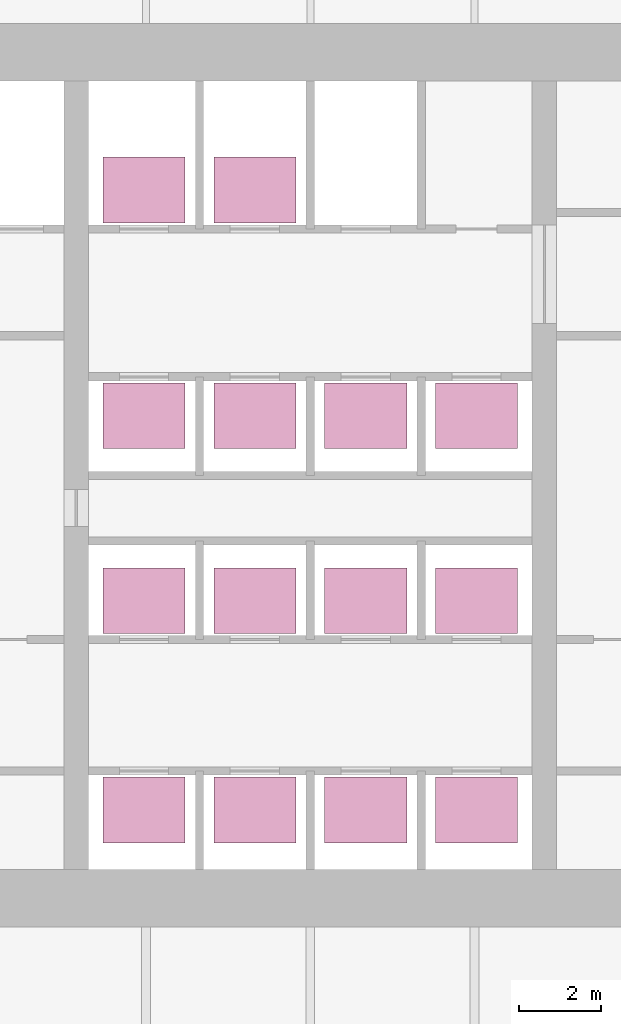
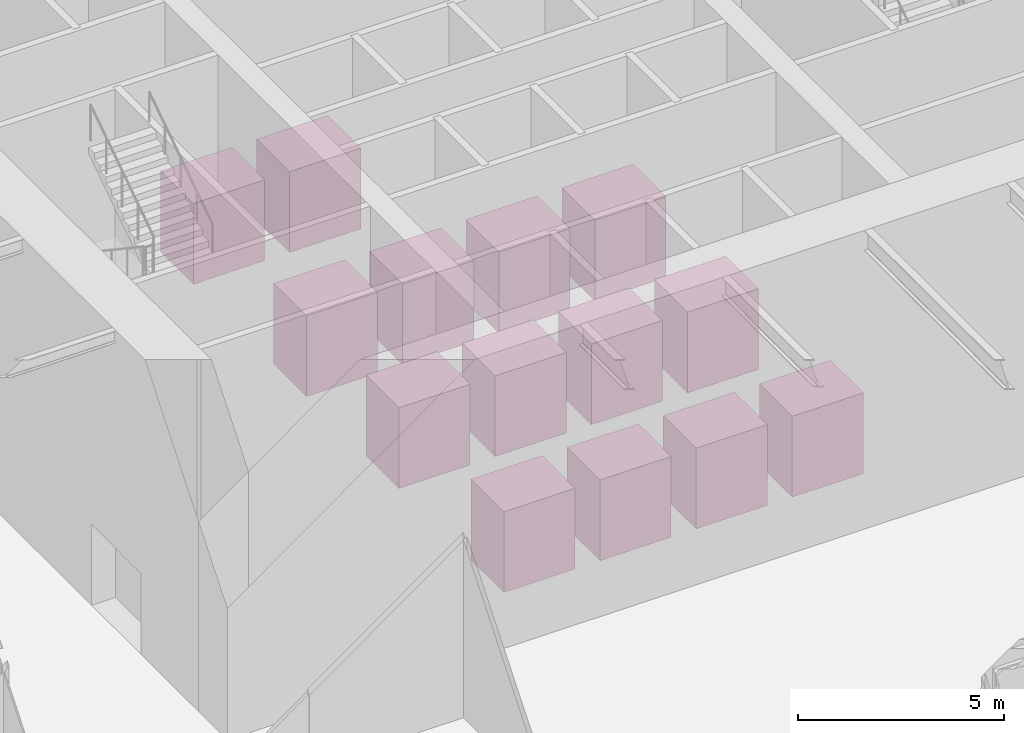
# One storey, part 13 of 13: 14 transport elements.
"""IFC4 building model written with IfcOpenShell, lengths in metres."""

from ifc_helpers import new_model, si_unit, direction, frame, origin, origin_2d, place, context, subcontext, project, spatial, rectangle, extrude, material, type_object, element, save


model = new_model("IFC4")

# Units and contexts
model_context = context("Model", 3, precision=1e-05, world=origin(), true_north=direction((0.0, 1.0)))
body_context = subcontext(model_context, "Body", "Model", "MODEL_VIEW")
ifc_project = project(units=[si_unit("LENGTHUNIT", "METRE"), si_unit("AREAUNIT", "SQUARE_METRE"), si_unit("VOLUMEUNIT", "CUBIC_METRE"), si_unit("PLANEANGLEUNIT", "RADIAN"), si_unit("MASSUNIT", "GRAM", prefix="KILO")], contexts=[model_context])

# Site, building, storey
site_placement = place(None, origin())
site = spatial("IfcSite", under=ifc_project, at=site_placement, CompositionType="ELEMENT")
building_placement = place(site_placement, origin())
building = spatial("IfcBuilding", under=site, at=building_placement, Name="Verdant Reach Tower", CompositionType="ELEMENT")
storey_placement = place(building_placement, origin())
storey = spatial("IfcBuildingStorey", under=building, at=storey_placement, Name="G", CompositionType="ELEMENT", Elevation=0.0)

# Transport elements
ifc_material = material(Name="Steel", Category="steel")
transport_element_type = type_object("IfcTransportElementType", Name="CO-LIFT-PASSENGER", PredefinedType="ELEVATOR", material=ifc_material)
for number, where, z_axis, x_axis, name in (
    (1, (-4.050048828125, 19.85009765625, 0.0), (0.0, 0.0, 1.0), (1.0, 0.0, 0.0), "Passenger lift A1"),
    (2, (-1.35009765625, 19.85009765625, 0.0), (0.0, 0.0, 1.0), (1.0, 0.0, 0.0), "Passenger lift A2"),
    (3, (1.35009765625, 19.85009765625, 0.0), (0.0, 0.0, 1.0), (1.0, 0.0, 0.0), "Passenger lift A3"),
    (4, (4.050048828125, 19.85009765625, 0.0), (0.0, 0.0, 1.0), (1.0, 0.0, 0.0), "Passenger lift A4"),
    (5, (-4.050048828125, 24.949951171875, 0.0), (0.0, 0.0, 1.0), (1.0, 0.0, 0.0), "Passenger lift A5"),
    (6, (-1.35009765625, 24.949951171875, 0.0), (0.0, 0.0, 1.0), (1.0, 0.0, 0.0), "Passenger lift A6"),
    (7, (1.35009765625, 24.949951171875, 0.0), (0.0, 0.0, 1.0), (1.0, 0.0, 0.0), "Passenger lift A7"),
    (8, (4.050048828125, 24.949951171875, 0.0), (0.0, 0.0, 1.0), (1.0, 0.0, 0.0), "Passenger lift A8"),
    (9, (-4.050048828125, 29.449951171875, 0.0), (0.0, 0.0, 1.0), (1.0, 0.0, 0.0), "Shuttle lift S1"),
    (10, (-1.35009765625, 29.449951171875, 0.0), (0.0, 0.0, 1.0), (1.0, 0.0, 0.0), "Shuttle lift S2"),
    (11, (1.35009765625, 29.449951171875, 0.0), (0.0, 0.0, 1.0), (1.0, 0.0, 0.0), "Shuttle lift S3"),
    (12, (4.050048828125, 29.449951171875, 0.0), (0.0, 0.0, 1.0), (1.0, 0.0, 0.0), "Shuttle lift S4"),
    (13, (-4.050048828125, 34.949951171875, 0.0), (0.0, 0.0, 1.0), (1.0, 0.0, 0.0), "Observation lift P1"),
    (14, (-1.35009765625, 34.949951171875, 0.0), (0.0, 0.0, 1.0), (1.0, 0.0, 0.0), "Observation lift P2"),
):
    element("IfcTransportElement", number, at=place(storey_placement, frame(where, z_axis=z_axis, x_axis=x_axis)), inside=storey, type_object=transport_element_type, Name=name, PredefinedType="ELEVATOR", context=body_context, shape_type="SweptSolid", body=[
        extrude(rectangle(XDim=2.0, YDim=1.60009765625, at=origin_2d()), origin(), (0.0, 0.0, 1.0), 2.39990234375),
    ])

save(model, "model.ifc")
